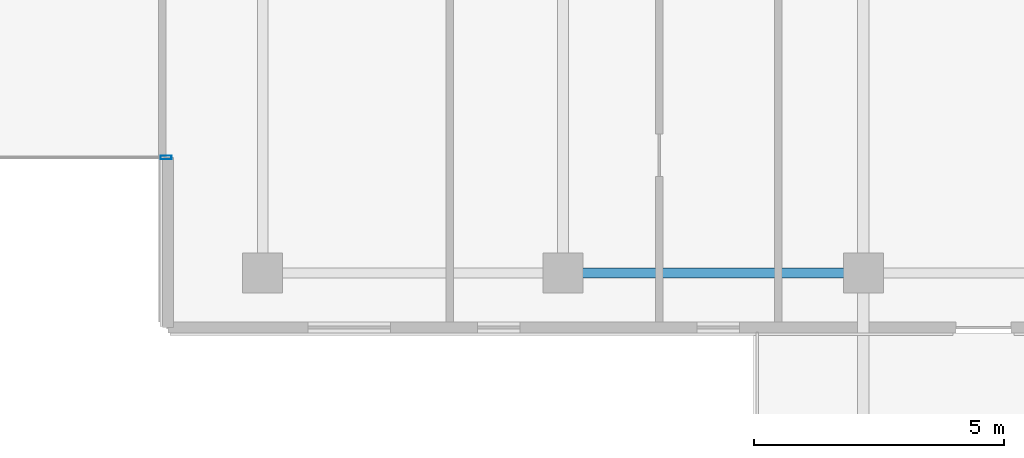
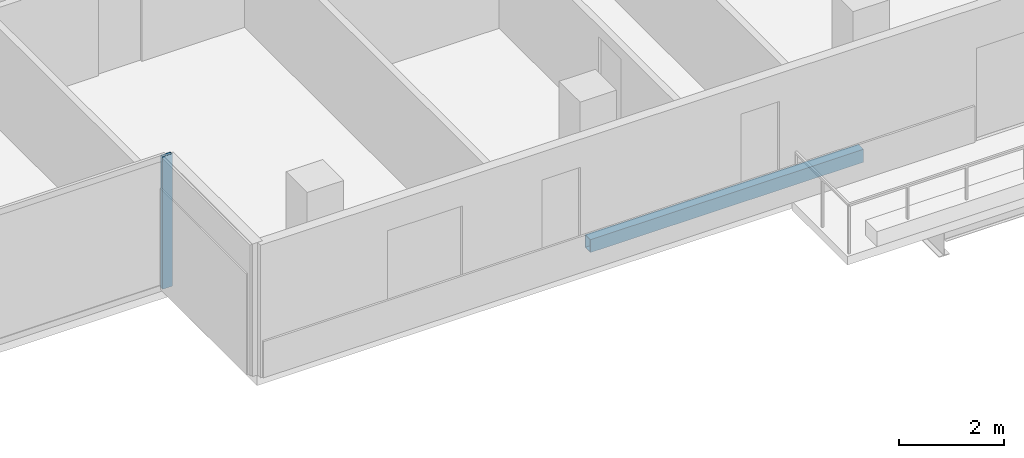
# One storey, part 4 of 20: 1 beam, 1 member, 1 element without a shape of its own.
"""IFC4 building model written with IfcOpenShell, lengths in metres."""

import ifcopenshell
import ifcopenshell.guid

model = None  # the IFC model being written
_history = None  # IfcOwnerHistory: only IFC2X3 demands one
_inside = {}  # id of a spatial element -> (the spatial element, [elements in it])
_under = {}  # id of a project, library or spatial element -> (it, [spatial elements below it])
_declared = {}  # id of a project -> (the project, [libraries it declares])
_typed = {}  # id of a type object -> (the type object, [elements of that type])
_made_of = {}  # id of a material, layer set ... -> (it, [elements and type objects made of it])


def new_model(schema):
    """Start an empty IFC model of exactly this schema.

    Asked for "IFC4X3", IfcOpenShell would pick the latest addendum, in which some entities
    have other attributes; the version numbers below select the first issue.
    IFC2X3 requires an IfcOwnerHistory on every rooted entity: one is made here for all.
    """
    global model, _history
    if schema == "IFC4X3":
        model = ifcopenshell.file(schema_version=(4, 3, 0, 0))
    else:
        model = ifcopenshell.file(schema=schema)
    _inside.clear()
    _under.clear()
    _declared.clear()
    _typed.clear()
    _made_of.clear()
    _history = None
    if model.schema == "IFC2X3":
        org = make("IfcOrganization", Name="unknown")
        user = make(
            "IfcPersonAndOrganization",
            ThePerson=make("IfcPerson", FamilyName="unknown"),
            TheOrganization=org,
        )
        app = make(
            "IfcApplication",
            ApplicationDeveloper=org,
            Version="unknown",
            ApplicationFullName="unknown",
            ApplicationIdentifier="unknown",
        )
        _history = make(
            "IfcOwnerHistory",
            OwningUser=user,
            OwningApplication=app,
            ChangeAction="ADDED",
            CreationDate=0,
        )
    return model


def make(cls, **values):
    """One entity of the class cls with the attributes given. An attribute that is None is left unset."""
    return model.create_entity(
        cls, **{name: value for name, value in values.items() if value is not None}
    )


def rooted(cls, **values):
    """An entity with a GlobalId (a new one), such as an element, a storey or a relation."""
    return make(cls, GlobalId=ifcopenshell.guid.new(), OwnerHistory=_history, **values)


def si_unit(unit_type, name, prefix=None):
    """IfcSIUnit, for example si_unit("LENGTHUNIT", "METRE", prefix="MILLI")."""
    return make("IfcSIUnit", UnitType=unit_type, Prefix=prefix, Name=name)


def assignment(units):
    """IfcUnitAssignment: the units of a project."""
    return None if units is None else make("IfcUnitAssignment", Units=units)


def point(xyz):
    """IfcCartesianPoint."""
    return None if xyz is None else make("IfcCartesianPoint", Coordinates=xyz)


def direction(xyz):
    """IfcDirection."""
    return None if xyz is None else make("IfcDirection", DirectionRatios=xyz)


def frame(location, z_axis=None, x_axis=None):
    """IfcAxis2Placement3D, a coordinate frame: its origin and axes. An axis left out is left unset."""
    return make(
        "IfcAxis2Placement3D",
        Location=point(location),
        Axis=direction(z_axis),
        RefDirection=direction(x_axis),
    )


def frame_2d(location, x_axis=None):
    """IfcAxis2Placement2D, a coordinate frame in the plane: its origin and x axis."""
    return make(
        "IfcAxis2Placement2D", Location=point(location), RefDirection=direction(x_axis)
    )


def origin():
    """The frame at (0, 0, 0) with its axes left unset."""
    return frame((0.0, 0.0, 0.0))


def origin_2d():
    """The frame at (0, 0) in the plane with its x axis left unset."""
    return frame_2d((0.0, 0.0))


def place(relative_to, where):
    """IfcLocalPlacement: puts the frame where relative to a parent placement (None: the world)."""
    return make(
        "IfcLocalPlacement", PlacementRelTo=relative_to, RelativePlacement=where
    )


def context(
    kind, dimensions, precision=None, world=None, true_north=None, identifier=None
):
    """IfcGeometricRepresentationContext, for example the 3D "Model" context."""
    return make(
        "IfcGeometricRepresentationContext",
        ContextIdentifier=identifier,
        ContextType=kind,
        CoordinateSpaceDimension=dimensions,
        Precision=precision,
        WorldCoordinateSystem=world,
        TrueNorth=true_north,
    )


def subcontext(parent, identifier, kind, view, scale=None):
    """IfcGeometricRepresentationSubContext, for example "Body" below "Model"."""
    return make(
        "IfcGeometricRepresentationSubContext",
        ContextIdentifier=identifier,
        ContextType=kind,
        ParentContext=parent,
        TargetScale=scale,
        TargetView=view,
    )


def project(units=None, contexts=None):
    """IfcProject with its units and contexts."""
    return rooted(
        "IfcProject",
        Name="project",
        RepresentationContexts=contexts,
        UnitsInContext=assignment(units),
    )


def spatial(cls, under=None, at=None, **own):
    """A site, building, storey or space (cls), placed at a placement, below another one or the project."""
    s = rooted(cls, ObjectPlacement=at, **own)
    if under is not None:
        _under.setdefault(under.id(), (under, []))[1].append(s)
    return s


def profile(cls, at=None, kind="AREA", **sizes):
    """A parametric profile (cls). Its sizes go by their IFC names, for example OverallWidth=200.0."""
    return make(cls, ProfileType=kind, Position=at, **sizes)


def hollow_rectangle(**sizes):
    """IfcRectangleHollowProfileDef."""
    return profile("IfcRectangleHollowProfileDef", **sizes)


def extrude(swept, where, along, depth):
    """IfcExtrudedAreaSolid: the profile swept, set in the frame where, extruded along a direction by depth."""
    return make(
        "IfcExtrudedAreaSolid",
        SweptArea=swept,
        Position=where,
        ExtrudedDirection=direction(along),
        Depth=depth,
    )


def shape(context_of_items, identifier, shape_type, items):
    """IfcShapeRepresentation: the items that make up one representation, for example the "Body"."""
    return make(
        "IfcShapeRepresentation",
        ContextOfItems=context_of_items,
        RepresentationIdentifier=identifier,
        RepresentationType=shape_type,
        Items=items,
    )


def material(Name=None, Category=None):
    """IfcMaterial."""
    return make("IfcMaterial", Name=Name, Category=Category)


def layer(
    of_material, thickness, ventilated=None, Name=None, Category=None, Priority=None
):
    """IfcMaterialLayer: one layer of a wall or slab, of a material (None: an air gap)."""
    return make(
        "IfcMaterialLayer",
        Material=of_material,
        LayerThickness=thickness,
        IsVentilated=ventilated,
        Name=Name,
        Category=Category,
        Priority=Priority,
    )


def layer_set(layers, Name=None):
    """IfcMaterialLayerSet."""
    return make("IfcMaterialLayerSet", MaterialLayers=layers, LayerSetName=Name)


def material_profile(
    of_material, cross_section, Name=None, Category=None, Priority=None
):
    """IfcMaterialProfile: a cross section and its material."""
    return make(
        "IfcMaterialProfile",
        Name=Name,
        Material=of_material,
        Profile=cross_section,
        Priority=Priority,
        Category=Category,
    )


def profile_set(profiles, Name=None, composite=None):
    """IfcMaterialProfileSet."""
    return make(
        "IfcMaterialProfileSet",
        Name=Name,
        MaterialProfiles=profiles,
        CompositeProfile=composite,
    )


def made_of(thing, what):
    """Note that an element or type object is made of a material, layer set ...; save() writes the relation."""
    if what is not None:
        _made_of.setdefault(what.id(), (what, []))[1].append(thing)
    return thing


def type_object(cls, material=None, **own):
    """A type object (cls), such as IfcWallType, which elements share."""
    return made_of(rooted(cls, **own), material)


def element(
    cls,
    number,
    at=None,
    inside=None,
    cuts=None,
    type_object=None,
    material=None,
    context=None,
    identifier="Body",
    shape_type=None,
    held_by="IfcProductDefinitionShape",
    body=None,
    shapes=None,
    **own,
):
    """One element of the class cls, such as IfcWall. Its Tag is "e" and its number.

    at: its placement. inside: the storey or other place that contains it. cuts: it is an
    opening in that element (IfcRelVoidsElement). A single representation is given by context,
    identifier, shape_type and body (its items); several are given by shapes. held_by: the class
    of the entity that holds the representations. save() writes the other relations.
    """
    e = rooted(cls, Tag="e%d" % number, ObjectPlacement=at, **own)
    if body is not None:
        shapes = [shape(context, identifier, shape_type, body)]
    if shapes is not None:
        e.Representation = make(held_by, Representations=shapes)
    if inside is not None:
        _inside.setdefault(inside.id(), (inside, []))[1].append(e)
    if cuts is not None:
        rooted(
            "IfcRelVoidsElement", RelatingBuildingElement=cuts, RelatedOpeningElement=e
        )
    if type_object is not None:
        _typed.setdefault(type_object.id(), (type_object, []))[1].append(e)
    return made_of(e, material)


def aggregate(whole, parts):
    """IfcRelAggregates: a whole, such as a stair, and the parts it consists of."""
    return rooted("IfcRelAggregates", RelatingObject=whole, RelatedObjects=parts)


def save(model, path):
    """Write the relations noted so far, then the file.

    IfcRelAggregates (storeys below a building ...), IfcRelContainedInSpatialStructure (elements
    in a storey), IfcRelDefinesByType, IfcRelAssociatesMaterial and IfcRelDeclares: one each for
    every whole, place, type object, material and project.
    """
    for whole, parts in _under.values():
        aggregate(whole, parts)
    for where, things in _inside.values():
        rooted(
            "IfcRelContainedInSpatialStructure",
            RelatedElements=things,
            RelatingStructure=where,
        )
    for kind, things in _typed.values():
        rooted("IfcRelDefinesByType", RelatedObjects=things, RelatingType=kind)
    for what, things in _made_of.values():
        rooted("IfcRelAssociatesMaterial", RelatedObjects=things, RelatingMaterial=what)
    for by, libraries in _declared.values():
        rooted("IfcRelDeclares", RelatingContext=by, RelatedDefinitions=libraries)
    model.write(path)


model = new_model("IFC4")

# Units and contexts
model_context = context("Model", 3, precision=1e-05, world=origin(), true_north=direction((0.0, 1.0)))
body_context = subcontext(model_context, "Body", "Model", "MODEL_VIEW")
ifc_project = project(units=[si_unit("LENGTHUNIT", "METRE"), si_unit("AREAUNIT", "SQUARE_METRE"), si_unit("VOLUMEUNIT", "CUBIC_METRE"), si_unit("PLANEANGLEUNIT", "RADIAN"), si_unit("MASSUNIT", "GRAM", prefix="KILO")], contexts=[model_context])

# Site, building, storey
site_placement = place(None, origin())
site = spatial("IfcSite", under=ifc_project, at=site_placement, CompositionType="ELEMENT")
building_placement = place(site_placement, origin())
building = spatial("IfcBuilding", under=site, at=building_placement, Name="Tanjung Sevakor Pilgrim Tower", CompositionType="ELEMENT")
storey_placement = place(building_placement, frame((0.0, 0.0, 201.6298828125)))
storey = spatial("IfcBuildingStorey", under=building, at=storey_placement, Name="L56", CompositionType="ELEMENT", Elevation=201.6298828125)

# Beam
ifc_material_1 = material(Name="Steel S355J2", Category="steel")
ifc_material_profile_1 = material_profile(ifc_material_1, hollow_rectangle(XDim=0.199951171875, YDim=0.300048828125, WallThickness=0.012451171875, at=origin_2d()))
ifc_profile_set_1 = profile_set([ifc_material_profile_1], Name="Steel S355J2")
beam_type = type_object("IfcBeamType", Name="BM-B-SP3-RHS_300x200x12.5", PredefinedType="SPANDREL", material=ifc_profile_set_1)
beam_placement = place(storey_placement, frame((60.0, 13.25, -0.369873046875), z_axis=(1.0, 0.0, 0.0), x_axis=(0.0, 1.0, 0.0)))
element("IfcBeam", 1, at=beam_placement, inside=storey, type_object=beam_type, Name="L56 Spandrel MAIN S-07", PredefinedType="SPANDREL", context=body_context, shape_type="SweptSolid", body=[
    extrude(hollow_rectangle(XDim=0.199951171875, YDim=0.300048828125, WallThickness=0.012451171875, at=origin_2d()), origin(), (0.0, 0.0, 1.0), 6.0),
])

# Curtain wall, member
ifc_material_2 = material(Name="Aluminium 6063-T6 and Low-E Glass", Category="aluminium")
ifc_layer = layer(ifc_material_2, 0.179931640625)
ifc_layer_set = layer_set([ifc_layer], Name="CW-SYS-CLEFT")
curtain_wall_type = type_object("IfcCurtainWallType", Name="CW-SYS-CLEFT", PredefinedType="NOTDEFINED", material=ifc_layer_set)
curtain_wall_placement = place(storey_placement, origin())
curtain_wall = element("IfcCurtainWall", 2, at=curtain_wall_placement, inside=storey, type_object=curtain_wall_type, Name="L56 Curtain Wall CW-CLF-L56-2", PredefinedType="NOTDEFINED")
ifc_material_3 = material(Name="Aluminium 6063-T6", Category="aluminium")
ifc_material_profile_2 = material_profile(ifc_material_3, hollow_rectangle(XDim=0.074951171875, YDim=0.219970703125, WallThickness=0.0048828125, at=origin_2d()))
ifc_profile_set_2 = profile_set([ifc_material_profile_2], Name="Aluminium 6063-T6")
member_type = type_object("IfcMemberType", Name="TYPE-CWM-2", PredefinedType="MULLION", material=ifc_profile_set_2)
member_placement = place(storey_placement, frame((52.072509765625, 15.56005859375, 0.0), z_axis=(0.0, 0.0, 1.0), x_axis=(0.0, 1.0, 0.0)))
member = element("IfcMember", 3, at=member_placement, type_object=member_type, Name="CW-CLF mullion 2", PredefinedType="MULLION", context=body_context, shape_type="SweptSolid", body=[
    extrude(hollow_rectangle(XDim=0.074951171875, YDim=0.219970703125, WallThickness=0.0048828125, at=origin_2d()), origin(), (0.0, 0.0, 1.0), 3.080078125),
])
aggregate(curtain_wall, [member])

save(model, "model.ifc")
